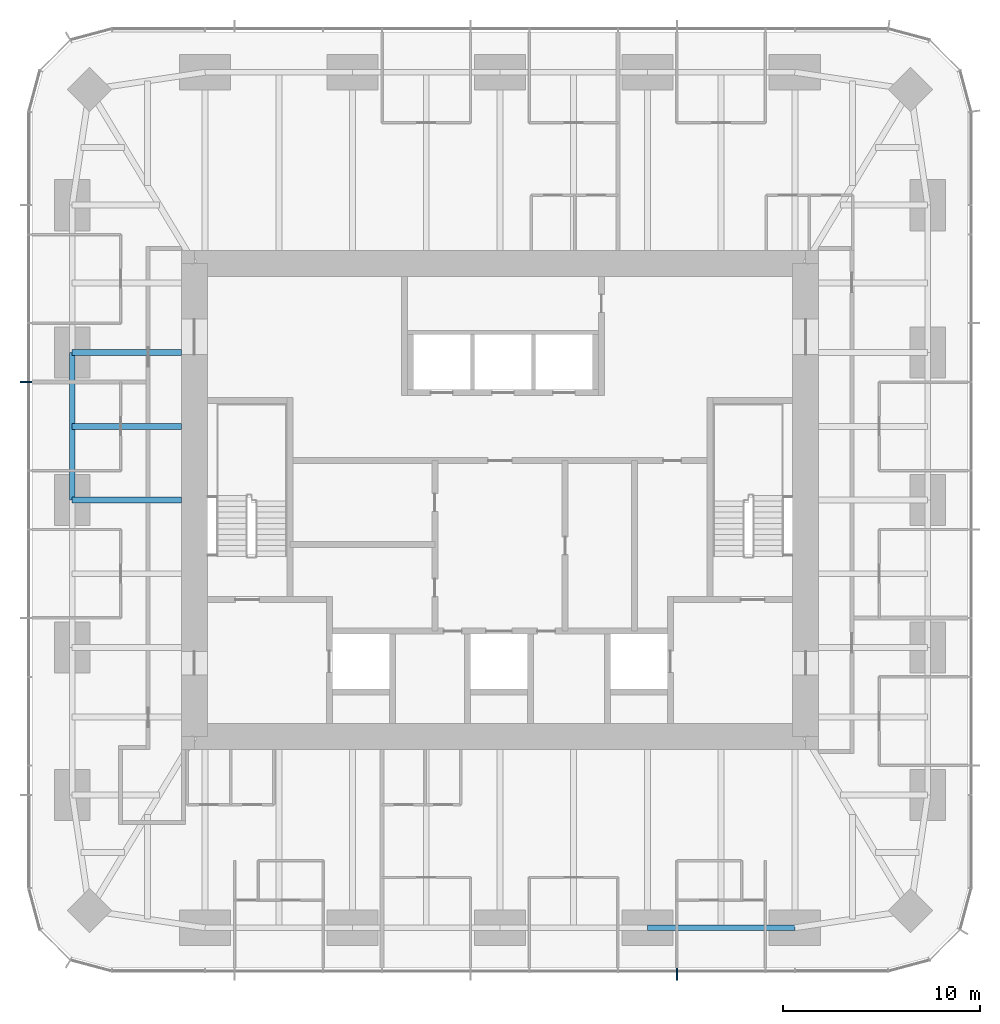
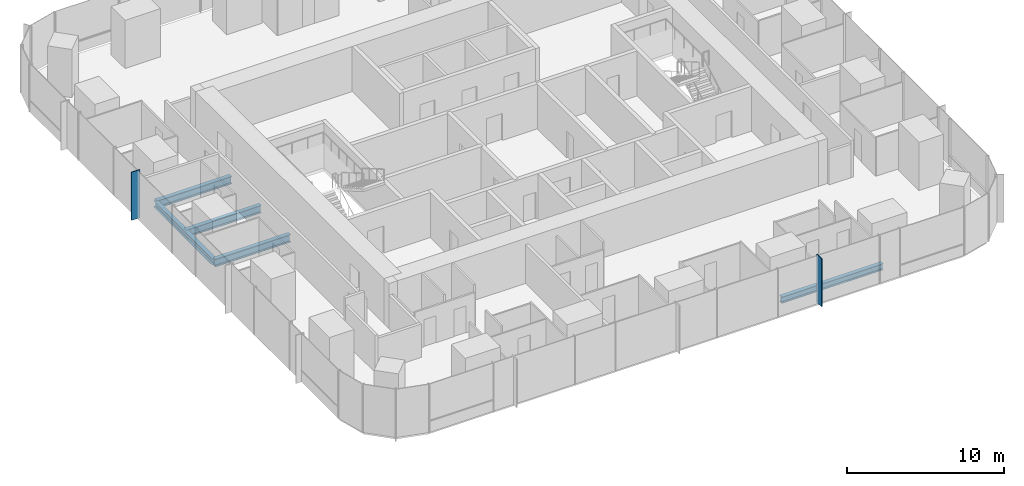
# One storey, part 3 of 12: 5 beams, 2 members, 2 elements without a shape of their own.
"""IFC4 building model written with IfcOpenShell, lengths in metres."""

from ifc_helpers import new_model, si_unit, direction, frame, origin, origin_2d, place, context, subcontext, project, spatial, rectangle, i_section, extrude, material, material_profile, profile_set, type_object, element, aggregate, save


model = new_model("IFC4")

# Units and contexts
model_context = context("Model", 3, precision=1e-05, world=origin(), true_north=direction((0.0, 1.0)))
body_context = subcontext(model_context, "Body", "Model", "MODEL_VIEW")
ifc_project = project(units=[si_unit("LENGTHUNIT", "METRE"), si_unit("AREAUNIT", "SQUARE_METRE"), si_unit("VOLUMEUNIT", "CUBIC_METRE"), si_unit("PLANEANGLEUNIT", "RADIAN"), si_unit("MASSUNIT", "GRAM", prefix="KILO")], contexts=[model_context])

# Site, building, storey
site_placement = place(None, origin())
site = spatial("IfcSite", under=ifc_project, at=site_placement, CompositionType="ELEMENT")
building_placement = place(site_placement, origin())
building = spatial("IfcBuilding", under=site, at=building_placement, Name="Khuree Lantern Residences", CompositionType="ELEMENT")
storey_placement = place(building_placement, frame((0.0, 0.0, 293.25)))
storey = spatial("IfcBuildingStorey", under=building, at=storey_placement, Name="L73", CompositionType="ELEMENT", Elevation=293.25)

# Beams
ifc_material_1 = material(Name="Steel S355", Category="steel")
ifc_material_profile_1 = material_profile(ifc_material_1, i_section(OverallWidth=0.300048828125, OverallDepth=0.590087890625, WebThickness=0.012939453125, FlangeThickness=0.02490234375, FilletRadius=0.027099609375, at=origin_2d()), Name="HE 600 A")
ifc_profile_set_1 = profile_set([ifc_material_profile_1], Name="Steel S355")
beam_type_1 = type_object("IfcBeamType", Name="B-41A SECONDARY BEAM HE 600 A", PredefinedType="BEAM", material=ifc_profile_set_1)
beam_placement = place(storey_placement, frame((-21.699951171875, 3.739990234375, -0.544921875), z_axis=(1.0, 0.0, 0.0), x_axis=(0.0, 1.0, 0.0)))
element("IfcBeam", 1, at=beam_placement, inside=storey, type_object=beam_type_1, Name="Secondary beam W4", PredefinedType="BEAM", context=body_context, shape_type="SweptSolid", body=[
    extrude(i_section(OverallWidth=0.300048828125, OverallDepth=0.590087890625, WebThickness=0.012939453125, FlangeThickness=0.02490234375, FilletRadius=0.027099609375, at=origin_2d()), origin(), (0.0, 0.0, 1.0), 5.550048828125),
])
ifc_material_profile_2 = material_profile(ifc_material_1, i_section(OverallWidth=0.300048828125, OverallDepth=0.489990234375, WebThickness=0.011962890625, FlangeThickness=0.02294921875, FilletRadius=0.027099609375, at=origin_2d()), Name="HE 500 A")
ifc_profile_set_2 = profile_set([ifc_material_profile_2], Name="Steel S355")
beam_type_2 = type_object("IfcBeamType", Name="E-41 SPANDREL BEAM HE 500 A", PredefinedType="SPANDREL", material=ifc_profile_set_2)
for number, where, z_axis, x_axis, name in (
    (2, (14.9599609375, -21.699951171875, -0.4951171875), (-1.0, 0.0, 0.0), (0.0, -1.0, 0.0), "Spandrel beam S2"),
    (3, (-21.699951171875, 0.0, -0.4951171875), (0.0, 1.0, 0.0), (-1.0, 0.0, 0.0), "Spandrel beam W4"),
):
    element("IfcBeam", number, at=place(storey_placement, frame(where, z_axis=z_axis, x_axis=x_axis)), inside=storey, type_object=beam_type_2, Name=name, PredefinedType="SPANDREL", context=body_context, shape_type="SweptSolid", body=[
        extrude(i_section(OverallWidth=0.300048828125, OverallDepth=0.489990234375, WebThickness=0.011962890625, FlangeThickness=0.02294921875, FilletRadius=0.027099609375, at=origin_2d()), origin(), (0.0, 0.0, 1.0), 7.47998046875),
    ])

# Curtain wall, member
ifc_material_2 = material(Name="Bronze anodised aluminium", Category="aluminium")
curtain_wall_type = type_object("IfcCurtainWallType", Name="CW-T1 TOWER FACE CURTAIN WALL", PredefinedType="USERDEFINED", material=ifc_material_2)
curtain_wall_1_placement = place(storey_placement, origin())
curtain_wall_1 = element("IfcCurtainWall", 4, at=curtain_wall_1_placement, inside=storey, type_object=curtain_wall_type, Name="L73 WEST FACE CURTAIN WALL", ObjectType="Stick-built curtain wall", PredefinedType="USERDEFINED")
ifc_material_profile_3 = material_profile(ifc_material_2, rectangle(XDim=0.06494140625, YDim=0.60009765625, at=origin_2d()), Name="F1 65X600")
ifc_profile_set_3 = profile_set([ifc_material_profile_3], Name="Bronze anodised aluminium")
member_type = type_object("IfcMemberType", Name="F1 BRONZE FIN MULLION TOWER 65X600", PredefinedType="MULLION", material=ifc_profile_set_3)
member_1_placement = place(storey_placement, frame((-24.050048828125, 5.98388671875, 0.0), z_axis=(0.0, 0.0, 1.0), x_axis=(0.0, -1.0, 0.0)))
member_1 = element("IfcMember", 5, at=member_1_placement, type_object=member_type, Name="L73 WEST FACE FIN MULLION 36", PredefinedType="MULLION", context=body_context, shape_type="SweptSolid", body=[
    extrude(rectangle(XDim=0.06494140625, YDim=0.60009765625, at=origin_2d()), origin(), (0.0, 0.0, 1.0), 3.75),
])
aggregate(curtain_wall_1, [member_1])

curtain_wall_2_placement = place(storey_placement, origin())
curtain_wall_2 = element("IfcCurtainWall", 6, at=curtain_wall_2_placement, inside=storey, type_object=curtain_wall_type, Name="L73 SOUTH FACE CURTAIN WALL", ObjectType="Stick-built curtain wall", PredefinedType="USERDEFINED")
member_2_placement = place(storey_placement, frame((8.97607421875, -24.050048828125, 0.0), z_axis=(0.0, 0.0, 1.0), x_axis=(1.0, 0.0, 0.0)))
member_2 = element("IfcMember", 7, at=member_2_placement, type_object=member_type, Name="L73 SOUTH FACE FIN MULLION 54", PredefinedType="MULLION", context=body_context, shape_type="SweptSolid", body=[
    extrude(rectangle(XDim=0.06494140625, YDim=0.60009765625, at=origin_2d()), origin(), (0.0, 0.0, 1.0), 3.75),
])
aggregate(curtain_wall_2, [member_2])

# Beams
ifc_material_profile_4 = material_profile(ifc_material_1, i_section(OverallWidth=0.300048828125, OverallDepth=0.60009765625, WebThickness=0.015380859375, FlangeThickness=0.030029296875, FilletRadius=0.027099609375, at=origin_2d()), Name="HE 600 B")
ifc_profile_set_4 = profile_set([ifc_material_profile_4], Name="Steel S355")
beam_type_3 = type_object("IfcBeamType", Name="G-41 GIRDER HE 600 B", PredefinedType="BEAM", material=ifc_profile_set_4)
for number, where, z_axis, x_axis, name in (
    (8, (-21.699951171875, 0.0, -0.550048828125), (1.0, 0.0, 0.0), (0.0, 1.0, 0.0), "Girder W3"),
    (9, (-21.699951171875, 7.47998046875, -0.550048828125), (1.0, 0.0, 0.0), (0.0, 1.0, 0.0), "Girder W4"),
):
    element("IfcBeam", number, at=place(storey_placement, frame(where, z_axis=z_axis, x_axis=x_axis)), inside=storey, type_object=beam_type_3, Name=name, PredefinedType="BEAM", context=body_context, shape_type="SweptSolid", body=[
        extrude(i_section(OverallWidth=0.300048828125, OverallDepth=0.60009765625, WebThickness=0.015380859375, FlangeThickness=0.030029296875, FilletRadius=0.027099609375, at=origin_2d()), origin(), (0.0, 0.0, 1.0), 5.550048828125),
    ])

save(model, "model.ifc")
